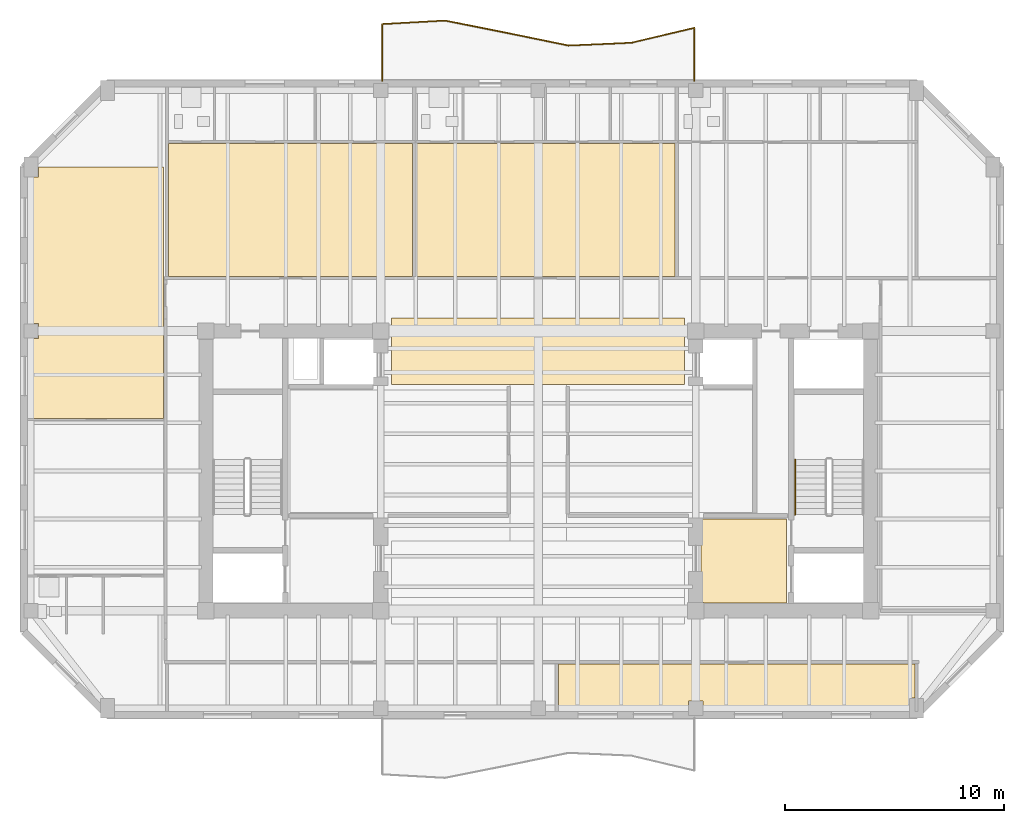
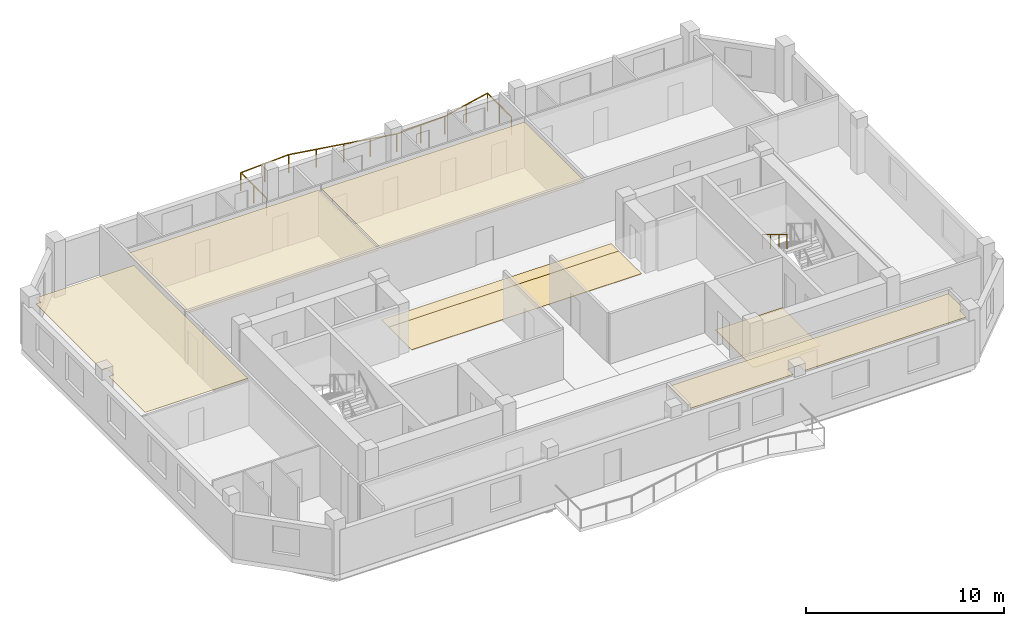
# One storey, part 8 of 10: 7 coverings, 2 railings.
"""IFC4 building model written with IfcOpenShell, lengths in metres."""

from ifc_helpers import new_model, si_unit, direction, frame, origin, origin_2d, place, context, subcontext, project, spatial, polyline, circle, outline, extrude, material, layer, layer_set, type_object, element, save


model = new_model("IFC4")

# Units and contexts
model_context = context("Model", 3, precision=1e-05, world=origin(), true_north=direction((0.0, 1.0)))
body_context = subcontext(model_context, "Body", "Model", "MODEL_VIEW")
ifc_project = project(units=[si_unit("LENGTHUNIT", "METRE"), si_unit("AREAUNIT", "SQUARE_METRE"), si_unit("VOLUMEUNIT", "CUBIC_METRE"), si_unit("PLANEANGLEUNIT", "RADIAN"), si_unit("MASSUNIT", "GRAM", prefix="KILO")], contexts=[model_context])

# Site, building, storey
site_placement = place(None, origin())
site = spatial("IfcSite", under=ifc_project, at=site_placement, CompositionType="ELEMENT")
building_placement = place(site_placement, origin())
building = spatial("IfcBuilding", under=site, at=building_placement, Name="Kranthara Brick Stack", CompositionType="ELEMENT")
storey_placement = place(building_placement, frame((0.0, 0.0, 272.10009765625)))
storey = spatial("IfcBuildingStorey", under=building, at=storey_placement, Name="L72", CompositionType="ELEMENT", Elevation=272.10009765625)

# Coverings
ifc_material_1 = material(Name="Perforated mineral-fibre acoustic ceiling tile", Category="other")
ifc_layer_1 = layer(ifc_material_1, 0.02490234375)
ifc_layer_set_1 = layer_set([ifc_layer_1], Name="Perforated mineral-fibre acoustic ceiling tile")
covering_type_1 = type_object("IfcCoveringType", Name="COV-CEIL-ACOUSTIC", PredefinedType="CEILING", material=ifc_layer_set_1)
covering_1_placement = place(storey_placement, frame((0.0, 0.0, 2.829833984375)))
element("IfcCovering", 1, at=covering_1_placement, inside=storey, type_object=covering_type_1, Name="L72 L72 Sky Club Observation Lounge 2 Acoustic Ceiling", PredefinedType="CEILING", context=body_context, shape_type="SweptSolid", body=[
    extrude(outline(polyline([(28.926025390625, 18.3798828125), (45.219970703125, 18.3798828125), (45.219970703125, 16.81005859375), (44.965087890625, 16.81005859375), (44.965087890625, 16.14990234375), (35.534912109375, 16.14990234375), (35.534912109375, 16.68505859375), (34.864990234375, 16.68505859375), (34.864990234375, 16.14990234375), (28.926025390625, 16.14990234375), (28.926025390625, 18.3798828125)])), origin(), (0.0, 0.0, 1.0), 0.025146484375),
])
covering_2_placement = place(storey_placement, frame((0.0, 0.0, 2.829833984375)))
element("IfcCovering", 2, at=covering_2_placement, inside=storey, type_object=covering_type_1, Name="L72 Unit L72A 1-Bed Apartment Living Dining Acoustic Ceiling", PredefinedType="CEILING", context=body_context, shape_type="SweptSolid", body=[
    extrude(outline(polyline([(22.251953125, 36.10009765625), (22.251953125, 42.169921875), (11.10009765625, 42.169921875), (11.10009765625, 36.10009765625), (22.251953125, 36.10009765625)])), origin(), (0.0, 0.0, 1.0), 0.025146484375),
])
covering_3_placement = place(storey_placement, frame((0.0, 0.0, 2.829833984375)))
element("IfcCovering", 3, at=covering_3_placement, inside=storey, type_object=covering_type_1, Name="L72 Unit L72B 2-Bed Apartment Living Dining Acoustic Ceiling", PredefinedType="CEILING", context=body_context, shape_type="SweptSolid", body=[
    extrude(outline(polyline([(34.25, 36.10009765625), (34.25, 42.169921875), (22.412109375, 42.169921875), (22.412109375, 36.10009765625), (34.25, 36.10009765625)])), origin(), (0.0, 0.0, 1.0), 0.025146484375),
])
covering_4_placement = place(storey_placement, frame((0.0, 0.0, 2.829833984375)))
element("IfcCovering", 4, at=covering_4_placement, inside=storey, type_object=covering_type_1, Name="L72 Unit L72D 1-Bed Apartment Living Dining Acoustic Ceiling", PredefinedType="CEILING", context=body_context, shape_type="SweptSolid", body=[
    extrude(outline(polyline([(10.860107421875, 41.10009765625), (10.860107421875, 29.60595703125), (4.8701171875, 29.60595703125), (4.8701171875, 33.264892578125), (5.135009765625, 33.264892578125), (5.135009765625, 33.93505859375), (4.8701171875, 33.93505859375), (4.8701171875, 40.639892578125), (5.135009765625, 40.639892578125), (5.135009765625, 41.10009765625), (10.860107421875, 41.10009765625)])), origin(), (0.0, 0.0, 1.0), 0.025146484375),
])
ifc_material_2 = material(Name="Honed terrazzo and porcelain floor finish", Category="stone")
ifc_layer_2 = layer(ifc_material_2, 0.030029296875)
ifc_layer_set_2 = layer_set([ifc_layer_2], Name="Honed terrazzo and porcelain floor finish")
covering_type_2 = type_object("IfcCoveringType", Name="COV-FLOR-STONE", PredefinedType="FLOORING", material=ifc_layer_set_2)
covering_5_placement = place(storey_placement, origin())
element("IfcCovering", 5, at=covering_5_placement, inside=storey, type_object=covering_type_2, Name="L72 Lift Lobby Stone Flooring", PredefinedType="FLOORING", context=body_context, shape_type="SweptSolid", body=[
    extrude(outline(polyline([(35.449951171875, 25.0), (39.35009765625, 25.0), (39.35009765625, 21.14990234375), (35.5849609375, 21.14990234375), (35.5849609375, 21.18505859375), (35.449951171875, 21.18505859375), (35.449951171875, 25.0)])), origin(), (0.0, 0.0, 1.0), 0.02978515625),
])
covering_6_placement = place(storey_placement, origin())
element("IfcCovering", 6, at=covering_6_placement, inside=storey, type_object=covering_type_2, Name="L72 Lift Lobby Stone Flooring", PredefinedType="FLOORING", context=body_context, shape_type="SweptSolid", body=[
    extrude(outline(polyline([(34.699951171875, 31.14990234375), (34.699951171875, 33.449951171875), (21.300048828125, 33.449951171875), (21.300048828125, 31.14990234375), (34.699951171875, 31.14990234375)])), origin(), (0.0, 0.0, 1.0), 0.02978515625),
])
covering_7_placement = place(storey_placement, origin())
element("IfcCovering", 7, at=covering_7_placement, inside=storey, type_object=covering_type_2, Name="L72 Lift Lobby Stone Flooring", PredefinedType="FLOORING", context=body_context, shape_type="SweptSolid", body=[
    extrude(outline(polyline([(34.699951171875, 33.449951171875), (21.300048828125, 33.449951171875), (21.300048828125, 34.199951171875), (34.699951171875, 34.199951171875), (34.699951171875, 33.449951171875)])), origin(), (0.0, 0.0, 1.0), 0.02978515625),
])

# Railings
ifc_material_3 = material(Name="Bronze anodised aluminium and laminated glass balustrade", Category="aluminium")
railing_type_1 = type_object("IfcRailingType", Name="RL-BALC-1120", PredefinedType="BALUSTRADE", material=ifc_material_3)
railing_1_placement = place(storey_placement, frame((20.860107421875, 45.0400390625, 0.0)))
element("IfcRailing", 8, at=railing_1_placement, inside=storey, type_object=railing_type_1, Name="L72 North Rippling Balcony Balustrade", PredefinedType="BALUSTRADE", context=body_context, shape_type="SweptSolid", body=[
    extrude(circle(Radius=0.02392578125, at=origin_2d()), frame((0.0, 0.0, 1.09619140625), z_axis=(-0.000188129053, 0.999999982304, 0.0), x_axis=(-0.999999982304, -0.000188129053, 0.0)), (0.0, 0.0, 1.0), 2.595458984375),
    extrude(circle(Radius=0.02392578125, at=origin_2d()), frame((-0.00048828125, 2.595458984375, 1.09619140625), z_axis=(0.998432348667, 0.055971824482, 0.0), x_axis=(-0.055971824482, 0.998432348667, 0.0)), (0.0, 0.0, 1.0), 2.88330078125),
    extrude(circle(Radius=0.02392578125, at=origin_2d()), frame((2.878173828125, 2.7568359375, 1.09619140625), z_axis=(0.980625440098, -0.19589218012, 0.0), x_axis=(0.19589218012, 0.980625440098, 0.0)), (0.0, 0.0, 1.0), 2.93505859375),
    extrude(circle(Radius=0.02392578125, at=origin_2d()), frame((5.75634765625, 2.181884765625, 1.09619140625), z_axis=(0.97955244274, -0.201188995528, 0.0), x_axis=(0.201188995528, 0.97955244274, 0.0)), (0.0, 0.0, 1.0), 2.8212890625),
    extrude(circle(Radius=0.02392578125, at=origin_2d()), frame((8.52001953125, 1.6142578125, 1.09619140625), z_axis=(0.999033492533, 0.04395544105, 0.0), x_axis=(-0.04395544105, 0.999033492533, 0.0)), (0.0, 0.0, 1.0), 2.882568359375),
    extrude(circle(Radius=0.02392578125, at=origin_2d()), frame((11.39990234375, 1.740966796875, 1.09619140625), z_axis=(0.973048153081, 0.230602020344, 0.0), x_axis=(-0.230602020344, 0.973048153081, 0.0)), (0.0, 0.0, 1.0), 2.960205078125),
    extrude(circle(Radius=0.02392578125, at=origin_2d()), frame((14.2802734375, 2.423583984375, 1.09619140625), z_axis=(-0.000201470732, -0.999999979705, 0.0), x_axis=(0.999999979705, -0.000201470732, 0.0)), (0.0, 0.0, 1.0), 2.423583984375),
    extrude(circle(Radius=0.02099609375, at=origin_2d()), origin(), (0.0, 0.0, 1.0), 1.072021484375),
    extrude(circle(Radius=0.02099609375, at=origin_2d()), frame((-0.000244140625, 1.2978515625, 0.0)), (0.0, 0.0, 1.0), 1.072021484375),
    extrude(circle(Radius=0.02099609375, at=origin_2d()), frame((-0.00048828125, 2.595458984375, 0.0)), (0.0, 0.0, 1.0), 1.072021484375),
    extrude(circle(Radius=0.02099609375, at=origin_2d()), frame((1.43896484375, 2.67626953125, 0.0)), (0.0, 0.0, 1.0), 1.072021484375),
    extrude(circle(Radius=0.02099609375, at=origin_2d()), frame((2.878173828125, 2.7568359375, 0.0)), (0.0, 0.0, 1.0), 1.072021484375),
    extrude(circle(Radius=0.02099609375, at=origin_2d()), frame((4.3173828125, 2.46923828125, 0.0)), (0.0, 0.0, 1.0), 1.072021484375),
    extrude(circle(Radius=0.02099609375, at=origin_2d()), frame((5.75634765625, 2.181884765625, 0.0)), (0.0, 0.0, 1.0), 1.072021484375),
    extrude(circle(Radius=0.02099609375, at=origin_2d()), frame((7.13818359375, 1.89794921875, 0.0)), (0.0, 0.0, 1.0), 1.072021484375),
    extrude(circle(Radius=0.02099609375, at=origin_2d()), frame((8.52001953125, 1.6142578125, 0.0)), (0.0, 0.0, 1.0), 1.072021484375),
    extrude(circle(Radius=0.02099609375, at=origin_2d()), frame((9.9599609375, 1.677734375, 0.0)), (0.0, 0.0, 1.0), 1.072021484375),
    extrude(circle(Radius=0.02099609375, at=origin_2d()), frame((11.39990234375, 1.740966796875, 0.0)), (0.0, 0.0, 1.0), 1.072021484375),
    extrude(circle(Radius=0.02099609375, at=origin_2d()), frame((12.840087890625, 2.082275390625, 0.0)), (0.0, 0.0, 1.0), 1.072021484375),
    extrude(circle(Radius=0.02099609375, at=origin_2d()), frame((14.2802734375, 2.423583984375, 0.0)), (0.0, 0.0, 1.0), 1.072021484375),
    extrude(circle(Radius=0.02099609375, at=origin_2d()), frame((14.280029296875, 1.2119140625, 0.0)), (0.0, 0.0, 1.0), 1.072021484375),
    extrude(circle(Radius=0.02099609375, at=origin_2d()), frame((14.27978515625, 0.0, 0.0)), (0.0, 0.0, 1.0), 1.072021484375),
])
ifc_material_4 = material(Name="Brushed stainless steel tubular handrail", Category="steel")
railing_type_2 = type_object("IfcRailingType", Name="RL-STAIR-HAND-900", PredefinedType="HANDRAIL", material=ifc_material_4)
railing_2_placement = place(storey_placement, frame((39.75, 27.719970703125, 1.869873046875)))
element("IfcRailing", 9, at=railing_2_placement, inside=storey, type_object=railing_type_2, Name="L72 ST02 stair handrail 2", PredefinedType="HANDRAIL", context=body_context, shape_type="SweptSolid", body=[
    extrude(circle(Radius=0.02392578125, at=origin_2d()), frame((0.0, 0.0, 0.8759765625), z_axis=(0.0, -0.85478489116, 0.518982456201), x_axis=(1.0, 0.0, 0.0)), (0.0, 0.0, 1.0), 2.9482421875),
    extrude(circle(Radius=0.02099609375, at=origin_2d()), origin(), (0.0, 0.0, 1.0), 0.851806640625),
    extrude(circle(Radius=0.02099609375, at=origin_2d()), frame((0.0, -0.840087890625, 0.510009765625)), (0.0, 0.0, 1.0), 0.851806640625),
    extrude(circle(Radius=0.02099609375, at=origin_2d()), frame((0.0, -1.679931640625, 1.02001953125)), (0.0, 0.0, 1.0), 0.851806640625),
    extrude(circle(Radius=0.02099609375, at=origin_2d()), frame((0.0, -2.52001953125, 1.530029296875)), (0.0, 0.0, 1.0), 0.851806640625),
])

save(model, "model.ifc")
